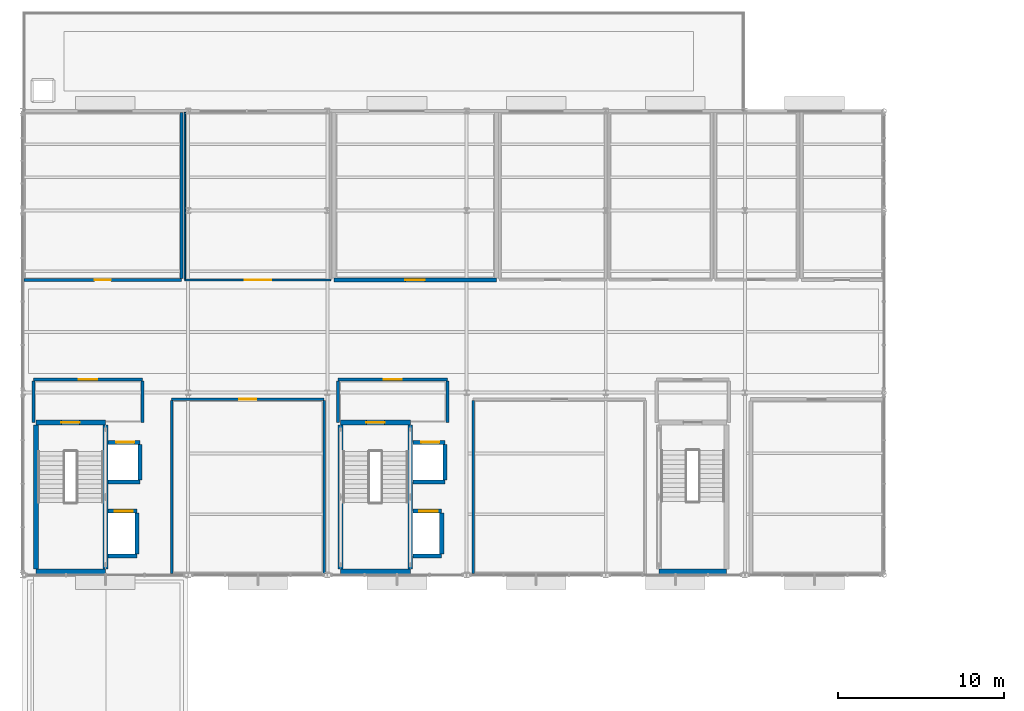
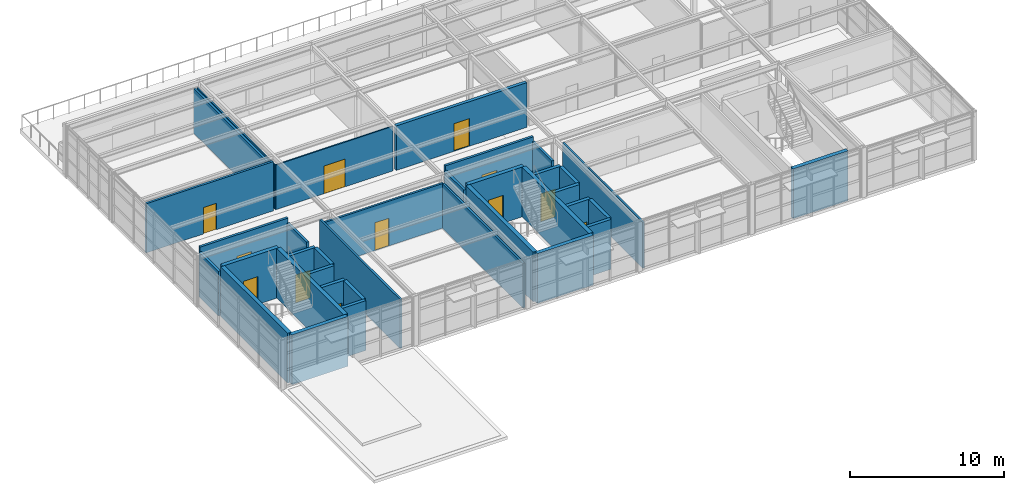
# One storey, part 17 of 21: 36 walls, 12 doors, 12 openings.
"""IFC4 building model written with IfcOpenShell, lengths in metres."""

from ifc_helpers import new_model, si_unit, direction, frame, frame_2d, origin, place, context, subcontext, project, spatial, rectangle, extrude, material, layer, layer_set, type_object, element, fill, save


model = new_model("IFC4")

# Units and contexts
model_context = context("Model", 3, precision=1e-05, world=origin(), true_north=direction((0.0, 1.0)))
body_context = subcontext(model_context, "Body", "Model", "MODEL_VIEW")
ifc_project = project(units=[si_unit("LENGTHUNIT", "METRE"), si_unit("AREAUNIT", "SQUARE_METRE"), si_unit("VOLUMEUNIT", "CUBIC_METRE"), si_unit("PLANEANGLEUNIT", "RADIAN"), si_unit("MASSUNIT", "GRAM", prefix="KILO")], contexts=[model_context])

# Site, building, storey
site_placement = place(None, origin())
site = spatial("IfcSite", under=ifc_project, at=site_placement, CompositionType="ELEMENT")
building_placement = place(site_placement, origin())
building = spatial("IfcBuilding", under=site, at=building_placement, Name="Sitalva Quay Ferry Terminal", CompositionType="ELEMENT")
storey_placement = place(building_placement, frame((0.0, 0.0, 14.39990234375)))
storey = spatial("IfcBuildingStorey", under=building, at=storey_placement, Name="L04", CompositionType="ELEMENT", Elevation=14.39990234375)

# Wall
ifc_material_1 = material(Name="Concrete C40/50", Category="concrete")
ifc_layer_1 = layer(ifc_material_1, 0.300048828125)
ifc_layer_set_1 = layer_set([ifc_layer_1], Name="Concrete C40/50")
wall_type_1 = type_object("IfcWallType", Name="Wall_CoreShear_300", PredefinedType="SHEAR", material=ifc_layer_set_1)
wall_1_placement = place(storey_placement, frame((74.800048828125, 78.199951171875, 0.0), z_axis=(0.0, 0.0, 1.0), x_axis=(1.0, 0.0, 0.0)))
element("IfcWall", 1, at=wall_1_placement, inside=storey, type_object=wall_type_1, Name="Core C1 L04 south shear wall", PredefinedType="SHEAR", context=body_context, shape_type="SweptSolid", body=[
    extrude(rectangle(XDim=4.199951171875, YDim=0.300048828125, at=frame_2d((2.10009765625, 0.0))), origin(), (0.0, 0.0, 1.0), 3.9501953125),
])

# Wall, opening, door
wall_2_placement = place(storey_placement, frame((74.800048828125, 87.199951171875, 0.0), z_axis=(0.0, 0.0, 1.0), x_axis=(1.0, 0.0, 0.0)))
wall_2 = element("IfcWall", 2, at=wall_2_placement, inside=storey, type_object=wall_type_1, Name="Core C1 L04 north shear wall", PredefinedType="SHEAR", context=body_context, shape_type="SweptSolid", body=[
    extrude(rectangle(XDim=4.199951171875, YDim=0.300048828125, at=frame_2d((2.10009765625, 0.0))), origin(), (0.0, 0.0, 1.0), 3.9501953125),
])
opening_1_placement = place(wall_2_placement, frame((1.550048828125, 0.0, 0.0)))
opening_1 = element("IfcOpeningElement", 3, at=opening_1_placement, cuts=wall_2, Name="Opening D-L04-004", PredefinedType="OPENING", context=body_context, shape_type="SweptSolid", body=[
    extrude(rectangle(XDim=1.10009765625, YDim=2.199951171875, at=frame_2d((0.550048828125, 1.10009765625))), frame((0.0, 0.159912109375, 0.0), z_axis=(0.0, -1.0, 0.0), x_axis=(1.0, 0.0, 0.0)), (0.0, 0.0, 1.0), 0.320068359375),
])
ifc_material_2 = material(Name="Galvanised Steel Fire Door", Category="steel")
door_type_1 = type_object("IfcDoorType", Name="Door_CoreExit_1100x2200", OperationType="SINGLE_SWING_LEFT", PredefinedType="DOOR", material=ifc_material_2)
door_1_placement = place(opening_1_placement, origin())
door_1 = element("IfcDoor", 4, at=door_1_placement, inside=storey, type_object=door_type_1, Name="DOOR-D-L04-004 Protected stair ST-01 door D-L04-004", OperationType="SINGLE_SWING_RIGHT", OverallHeight=2.199951171875, OverallWidth=1.10009765625, PredefinedType="DOOR", context=body_context, shape_type="SweptSolid", body=[
    extrude(rectangle(XDim=1.10009765625, YDim=2.199951171875, at=frame_2d((0.550048828125, 1.10009765625))), frame((0.0, 0.02490234375, 0.0), z_axis=(0.0, -1.0, 0.0), x_axis=(1.0, 0.0, 0.0)), (0.0, 0.0, 1.0), 0.050048828125),
])
fill(opening_1, door_1)

# Walls
for number, where, z_axis, x_axis, name in (
    (5, (74.800048828125, 78.35009765625, 0.0), (0.0, 0.0, 1.0), (0.0, 1.0, 0.0), "Core C1 L04 west shear wall"),
    (6, (79.0, 78.35009765625, 0.0), (0.0, 0.0, 1.0), (0.0, 1.0, 0.0), "Core C1 L04 east shear wall"),
):
    element("IfcWall", number, at=place(storey_placement, frame(where, z_axis=z_axis, x_axis=x_axis)), inside=storey, type_object=wall_type_1, Name=name, PredefinedType="SHEAR", context=body_context, shape_type="SweptSolid", body=[
        extrude(rectangle(XDim=8.699951171875, YDim=0.300048828125, at=frame_2d((4.35009765625, 0.0))), origin(), (0.0, 0.0, 1.0), 3.9501953125),
    ])
wall_3_placement = place(storey_placement, frame((93.199951171875, 78.199951171875, 0.0), z_axis=(0.0, 0.0, 1.0), x_axis=(1.0, 0.0, 0.0)))
element("IfcWall", 7, at=wall_3_placement, inside=storey, type_object=wall_type_1, Name="Core C2 L04 south shear wall", PredefinedType="SHEAR", context=body_context, shape_type="SweptSolid", body=[
    extrude(rectangle(XDim=4.199951171875, YDim=0.300048828125, at=frame_2d((2.10009765625, 0.0))), origin(), (0.0, 0.0, 1.0), 3.9501953125),
])

# Wall, opening, door
wall_4_placement = place(storey_placement, frame((93.199951171875, 87.199951171875, 0.0), z_axis=(0.0, 0.0, 1.0), x_axis=(1.0, 0.0, 0.0)))
wall_4 = element("IfcWall", 8, at=wall_4_placement, inside=storey, type_object=wall_type_1, Name="Core C2 L04 north shear wall", PredefinedType="SHEAR", context=body_context, shape_type="SweptSolid", body=[
    extrude(rectangle(XDim=4.199951171875, YDim=0.300048828125, at=frame_2d((2.10009765625, 0.0))), origin(), (0.0, 0.0, 1.0), 3.9501953125),
])
opening_2_placement = place(wall_4_placement, frame((1.550048828125, 0.0, 0.0)))
opening_2 = element("IfcOpeningElement", 9, at=opening_2_placement, cuts=wall_4, Name="Opening D-L04-009", PredefinedType="OPENING", context=body_context, shape_type="SweptSolid", body=[
    extrude(rectangle(XDim=1.10009765625, YDim=2.199951171875, at=frame_2d((0.550048828125, 1.10009765625))), frame((0.0, 0.159912109375, 0.0), z_axis=(0.0, -1.0, 0.0), x_axis=(1.0, 0.0, 0.0)), (0.0, 0.0, 1.0), 0.320068359375),
])
door_2_placement = place(opening_2_placement, origin())
door_2 = element("IfcDoor", 10, at=door_2_placement, inside=storey, type_object=door_type_1, Name="DOOR-D-L04-009 Protected stair ST-02 door D-L04-009", OperationType="SINGLE_SWING_LEFT", OverallHeight=2.199951171875, OverallWidth=1.10009765625, PredefinedType="DOOR", context=body_context, shape_type="SweptSolid", body=[
    extrude(rectangle(XDim=1.10009765625, YDim=2.199951171875, at=frame_2d((0.550048828125, 1.10009765625))), frame((0.0, 0.02490234375, 0.0), z_axis=(0.0, -1.0, 0.0), x_axis=(1.0, 0.0, 0.0)), (0.0, 0.0, 1.0), 0.050048828125),
])
fill(opening_2, door_2)

# Walls
for number, where, z_axis, x_axis, name in (
    (11, (93.199951171875, 78.35009765625, 0.0), (0.0, 0.0, 1.0), (0.0, 1.0, 0.0), "Core C2 L04 west shear wall"),
    (12, (97.39990234375, 78.35009765625, 0.0), (0.0, 0.0, 1.0), (0.0, 1.0, 0.0), "Core C2 L04 east shear wall"),
):
    element("IfcWall", number, at=place(storey_placement, frame(where, z_axis=z_axis, x_axis=x_axis)), inside=storey, type_object=wall_type_1, Name=name, PredefinedType="SHEAR", context=body_context, shape_type="SweptSolid", body=[
        extrude(rectangle(XDim=8.699951171875, YDim=0.300048828125, at=frame_2d((4.35009765625, 0.0))), origin(), (0.0, 0.0, 1.0), 3.9501953125),
    ])
wall_5_placement = place(storey_placement, frame((112.39990234375, 78.199951171875, 0.0), z_axis=(0.0, 0.0, 1.0), x_axis=(1.0, 0.0, 0.0)))
element("IfcWall", 13, at=wall_5_placement, inside=storey, type_object=wall_type_1, Name="Core C4 L04 south shear wall", PredefinedType="SHEAR", context=body_context, shape_type="SweptSolid", body=[
    extrude(rectangle(XDim=4.10009765625, YDim=0.300048828125, at=frame_2d((2.050048828125, 0.0))), origin(), (0.0, 0.0, 1.0), 3.9501953125),
])

# Wall, opening, door
ifc_material_3 = material(Name="Fire-Rated Blockwork C25/30", Category="masonry")
ifc_layer_2 = layer(ifc_material_3, 0.179931640625)
ifc_layer_set_2 = layer_set([ifc_layer_2], Name="Fire-Rated Blockwork C25/30")
wall_type_2 = type_object("IfcWallType", Name="Wall_FireLobby_180", PredefinedType="SOLIDWALL", material=ifc_layer_set_2)
wall_6_placement = place(storey_placement, frame((74.64990234375, 89.800048828125, 0.0), z_axis=(0.0, 0.0, 1.0), x_axis=(1.0, 0.0, 0.0)))
wall_6 = element("IfcWall", 14, at=wall_6_placement, inside=storey, type_object=wall_type_2, Name="Firefighting & Lift Lobby C1 N wall IW-L04-0010", PredefinedType="SOLIDWALL", context=body_context, shape_type="SweptSolid", body=[
    extrude(rectangle(XDim=6.60009765625, YDim=0.179931640625, at=frame_2d((3.300048828125, 0.0))), origin(), (0.0, 0.0, 1.0), 3.900146484375),
])
opening_3_placement = place(wall_6_placement, frame((2.75, 0.0, 0.0)))
opening_3 = element("IfcOpeningElement", 15, at=opening_3_placement, cuts=wall_6, Name="Opening ID-L04-004", PredefinedType="OPENING", context=body_context, shape_type="SweptSolid", body=[
    extrude(rectangle(XDim=1.10009765625, YDim=2.199951171875, at=frame_2d((0.550048828125, 1.10009765625))), frame((0.0, 0.099853515625, 0.0), z_axis=(0.0, -1.0, 0.0), x_axis=(1.0, 0.0, 0.0)), (0.0, 0.0, 1.0), 0.199951171875),
])
ifc_material_4 = material(Name="Steel Fire Door", Category="steel")
door_type_2 = type_object("IfcDoorType", Name="Door_FireLobby_1100x2200", OperationType="SINGLE_SWING_LEFT", PredefinedType="DOOR", material=ifc_material_4)
door_3_placement = place(opening_3_placement, origin())
door_3 = element("IfcDoor", 16, at=door_3_placement, inside=storey, type_object=door_type_2, Name="IDOOR-ID-L04-004 Firefighting & Lift Lobby C1 entrance ID-L04-004", OperationType="SINGLE_SWING_RIGHT", OverallHeight=2.199951171875, OverallWidth=1.10009765625, PredefinedType="DOOR", context=body_context, shape_type="SweptSolid", body=[
    extrude(rectangle(XDim=1.10009765625, YDim=2.199951171875, at=frame_2d((0.550048828125, 1.10009765625))), frame((0.0, 0.02490234375, 0.0), z_axis=(0.0, -1.0, 0.0), x_axis=(1.0, 0.0, 0.0)), (0.0, 0.0, 1.0), 0.050048828125),
])
fill(opening_3, door_3)

# Walls
for number, where, z_axis, x_axis, name in (
    (17, (74.64990234375, 87.199951171875, 0.0), (0.0, 0.0, 1.0), (0.0, 1.0, 0.0), "Firefighting & Lift Lobby C1 W wall IW-L04-0011"),
    (18, (81.25, 87.199951171875, 0.0), (0.0, 0.0, 1.0), (0.0, 1.0, 0.0), "Firefighting & Lift Lobby C1 E wall IW-L04-0012"),
):
    element("IfcWall", number, at=place(storey_placement, frame(where, z_axis=z_axis, x_axis=x_axis)), inside=storey, type_object=wall_type_2, Name=name, PredefinedType="SOLIDWALL", context=body_context, shape_type="SweptSolid", body=[
        extrude(rectangle(XDim=2.510009765625, YDim=0.179931640625, at=frame_2d((1.2548828125, 0.0))), origin(), (0.0, 0.0, 1.0), 3.533203125),
    ])

# Wall, opening, door
wall_7_placement = place(storey_placement, frame((93.050048828125, 89.800048828125, 0.0), z_axis=(0.0, 0.0, 1.0), x_axis=(1.0, 0.0, 0.0)))
wall_7 = element("IfcWall", 19, at=wall_7_placement, inside=storey, type_object=wall_type_2, Name="Firefighting & Lift Lobby C2 N wall IW-L04-0025", PredefinedType="SOLIDWALL", context=body_context, shape_type="SweptSolid", body=[
    extrude(rectangle(XDim=6.599853515625, YDim=0.179931640625, at=frame_2d((3.2998046875, 0.0))), origin(), (0.0, 0.0, 1.0), 3.900146484375),
])
opening_4_placement = place(wall_7_placement, frame((2.75, 0.0, 0.0)))
opening_4 = element("IfcOpeningElement", 20, at=opening_4_placement, cuts=wall_7, Name="Opening ID-L04-009", PredefinedType="OPENING", context=body_context, shape_type="SweptSolid", body=[
    extrude(rectangle(XDim=1.10009765625, YDim=2.199951171875, at=frame_2d((0.550048828125, 1.10009765625))), frame((0.0, 0.099853515625, 0.0), z_axis=(0.0, -1.0, 0.0), x_axis=(1.0, 0.0, 0.0)), (0.0, 0.0, 1.0), 0.199951171875),
])
door_4_placement = place(opening_4_placement, origin())
door_4 = element("IfcDoor", 21, at=door_4_placement, inside=storey, type_object=door_type_2, Name="IDOOR-ID-L04-009 Firefighting & Lift Lobby C2 entrance ID-L04-009", OperationType="SINGLE_SWING_LEFT", OverallHeight=2.199951171875, OverallWidth=1.10009765625, PredefinedType="DOOR", context=body_context, shape_type="SweptSolid", body=[
    extrude(rectangle(XDim=1.10009765625, YDim=2.199951171875, at=frame_2d((0.550048828125, 1.10009765625))), frame((0.0, 0.02490234375, 0.0), z_axis=(0.0, -1.0, 0.0), x_axis=(1.0, 0.0, 0.0)), (0.0, 0.0, 1.0), 0.050048828125),
])
fill(opening_4, door_4)

# Walls
for number, where, z_axis, x_axis, name in (
    (22, (93.050048828125, 87.199951171875, 0.0), (0.0, 0.0, 1.0), (0.0, 1.0, 0.0), "Firefighting & Lift Lobby C2 W wall IW-L04-0026"),
    (23, (99.64990234375, 87.199951171875, 0.0), (0.0, 0.0, 1.0), (0.0, 1.0, 0.0), "Firefighting & Lift Lobby C2 E wall IW-L04-0027"),
):
    element("IfcWall", number, at=place(storey_placement, frame(where, z_axis=z_axis, x_axis=x_axis)), inside=storey, type_object=wall_type_2, Name=name, PredefinedType="SOLIDWALL", context=body_context, shape_type="SweptSolid", body=[
        extrude(rectangle(XDim=2.510009765625, YDim=0.179931640625, at=frame_2d((1.2548828125, 0.0))), origin(), (0.0, 0.0, 1.0), 3.533203125),
    ])

# Wall, opening, door
ifc_material_5 = material(Name="Framed Acoustic Glass Partition", Category="glass")
ifc_layer_3 = layer(ifc_material_5, 0.10009765625)
ifc_layer_set_3 = layer_set([ifc_layer_3], Name="Framed Acoustic Glass Partition")
wall_type_3 = type_object("IfcWallType", Name="Wall_GlazedScreen_100", PredefinedType="MOVABLE", material=ifc_layer_set_3)
wall_8_placement = place(storey_placement, frame((83.800048828125, 95.800048828125, 0.0), z_axis=(0.0, 0.0, 1.0), x_axis=(1.0, 0.0, 0.0)))
wall_8 = element("IfcWall", 24, at=wall_8_placement, inside=storey, type_object=wall_type_3, Name="River Pilots Briefing & Garden Lounge S wall IW-L04-0309", PredefinedType="MOVABLE", context=body_context, shape_type="SweptSolid", body=[
    extrude(rectangle(XDim=8.800048828125, YDim=0.10009765625, at=frame_2d((4.39990234375, 0.0))), origin(), (0.0, 0.0, 1.0), 3.5400390625),
])
opening_5_placement = place(wall_8_placement, frame((3.60009765625, 0.0, 0.0)))
opening_5 = element("IfcOpeningElement", 25, at=opening_5_placement, cuts=wall_8, Name="Opening ID-L04-108", PredefinedType="OPENING", context=body_context, shape_type="SweptSolid", body=[
    extrude(rectangle(XDim=1.60009765625, YDim=2.199951171875, at=frame_2d((0.800048828125, 1.10009765625))), frame((0.0, 0.06005859375, 0.0), z_axis=(0.0, -1.0, 0.0), x_axis=(1.0, 0.0, 0.0)), (0.0, 0.0, 1.0), 0.1201171875),
])
ifc_material_6 = material(Name="Glazed Timber Acoustic Door", Category="wood")
door_type_3 = type_object("IfcDoorType", Name="Door_Meeting_1600x2200", OperationType="DOUBLE_DOOR_SINGLE_SWING", PredefinedType="DOOR", material=ifc_material_6)
door_5_placement = place(opening_5_placement, origin())
door_5 = element("IfcDoor", 26, at=door_5_placement, inside=storey, type_object=door_type_3, Name="IDOOR-ID-L04-108 River Pilots Briefing & Garden Lounge entrance ID-L04-108", OperationType="DOUBLE_DOOR_SINGLE_SWING", OverallHeight=2.199951171875, OverallWidth=1.60009765625, PredefinedType="DOOR", context=body_context, shape_type="SweptSolid", body=[
    extrude(rectangle(XDim=1.60009765625, YDim=2.199951171875, at=frame_2d((0.800048828125, 1.10009765625))), frame((0.0, 0.02490234375, 0.0), z_axis=(0.0, -1.0, 0.0), x_axis=(1.0, 0.0, 0.0)), (0.0, 0.0, 1.0), 0.050048828125),
])
fill(opening_5, door_5)

# Walls
wall_9_placement = place(storey_placement, frame((83.800048828125, 95.85009765625, 0.0), z_axis=(0.0, 0.0, 1.0), x_axis=(0.0, 1.0, 0.0)))
element("IfcWall", 27, at=wall_9_placement, inside=storey, type_object=wall_type_3, Name="River Pilots Briefing & Garden Lounge W wall IW-L04-0310", PredefinedType="MOVABLE", context=body_context, shape_type="SweptSolid", body=[
    extrude(rectangle(XDim=10.06982421875, YDim=0.10009765625, at=frame_2d((5.034912109375, 0.0))), origin(), (0.0, 0.0, 1.0), 3.533203125),
])
ifc_material_7 = material(Name="Concrete C35/45", Category="concrete")
ifc_layer_4 = layer(ifc_material_7, 0.25)
ifc_layer_set_4 = layer_set([ifc_layer_4], Name="Concrete C35/45")
wall_type_4 = type_object("IfcWallType", Name="Wall_LiftShaft_250", PredefinedType="SOLIDWALL", material=ifc_layer_set_4)
wall_10_placement = place(storey_placement, frame((79.155029296875, 79.14990234375, 0.0), z_axis=(0.0, 0.0, 1.0), x_axis=(1.0, 0.0, 0.0)))
element("IfcWall", 28, at=wall_10_placement, inside=storey, type_object=wall_type_4, Name="Lift LF-01 L04 south shaft wall", PredefinedType="SOLIDWALL", context=body_context, shape_type="SweptSolid", body=[
    extrude(rectangle(XDim=1.744873046875, YDim=0.25, at=frame_2d((0.87255859375, 0.0))), origin(), (0.0, 0.0, 1.0), 3.9501953125),
])

# Wall, opening, door
wall_11_placement = place(storey_placement, frame((79.155029296875, 81.85009765625, 0.0), z_axis=(0.0, 0.0, 1.0), x_axis=(1.0, 0.0, 0.0)))
wall_11 = element("IfcWall", 29, at=wall_11_placement, inside=storey, type_object=wall_type_4, Name="Lift LF-01 L04 north shaft wall", PredefinedType="SOLIDWALL", context=body_context, shape_type="SweptSolid", body=[
    extrude(rectangle(XDim=1.744873046875, YDim=0.25, at=frame_2d((0.87255859375, 0.0))), origin(), (0.0, 0.0, 1.0), 3.9501953125),
])
opening_6_placement = place(wall_11_placement, frame((0.39990234375, 0.0, 0.0)))
opening_6 = element("IfcOpeningElement", 30, at=opening_6_placement, cuts=wall_11, Name="Opening LD-LF-01-L04", PredefinedType="OPENING", context=body_context, shape_type="SweptSolid", body=[
    extrude(rectangle(XDim=1.10009765625, YDim=2.199951171875, at=frame_2d((0.550048828125, 1.10009765625))), frame((0.0, 0.135009765625, 0.0), z_axis=(0.0, -1.0, 0.0), x_axis=(1.0, 0.0, 0.0)), (0.0, 0.0, 1.0), 0.27001953125),
])
ifc_material_8 = material(Name="Stainless Steel 316L Fire Landing Door", Category="steel")
door_type_4 = type_object("IfcDoorType", Name="Door_LiftLanding_1100x2200", OperationType="SLIDING_TO_LEFT", PredefinedType="DOOR", material=ifc_material_8)
door_6_placement = place(opening_6_placement, origin())
door_6 = element("IfcDoor", 31, at=door_6_placement, inside=storey, type_object=door_type_4, Name="DOOR-LD-LF-01-L04 Lift LF-01 sliding landing door LD-LF-01-L04", OperationType="SLIDING_TO_LEFT", OverallHeight=2.199951171875, OverallWidth=1.10009765625, PredefinedType="DOOR", context=body_context, shape_type="SweptSolid", body=[
    extrude(rectangle(XDim=1.10009765625, YDim=2.199951171875, at=frame_2d((0.550048828125, 1.10009765625))), frame((0.0, 0.02490234375, 0.0), z_axis=(0.0, -1.0, 0.0), x_axis=(1.0, 0.0, 0.0)), (0.0, 0.0, 1.0), 0.050048828125),
])
fill(opening_6, door_6)

# Walls
wall_12_placement = place(storey_placement, frame((80.89990234375, 79.27490234375, 0.0), z_axis=(0.0, 0.0, 1.0), x_axis=(0.0, 1.0, 0.0)))
element("IfcWall", 32, at=wall_12_placement, inside=storey, type_object=wall_type_4, Name="Lift LF-01 L04 east shaft wall", PredefinedType="SOLIDWALL", context=body_context, shape_type="SweptSolid", body=[
    extrude(rectangle(XDim=2.4501953125, YDim=0.25, at=frame_2d((1.22509765625, 0.0))), origin(), (0.0, 0.0, 1.0), 3.9501953125),
])
wall_13_placement = place(storey_placement, frame((79.155029296875, 83.60009765625, 0.0), z_axis=(0.0, 0.0, 1.0), x_axis=(1.0, 0.0, 0.0)))
element("IfcWall", 33, at=wall_13_placement, inside=storey, type_object=wall_type_4, Name="Lift LF-03 L04 south shaft wall", PredefinedType="SOLIDWALL", context=body_context, shape_type="SweptSolid", body=[
    extrude(rectangle(XDim=1.945068359375, YDim=0.25, at=frame_2d((0.97265625, 0.0))), origin(), (0.0, 0.0, 1.0), 3.9501953125),
])

# Wall, opening, door
wall_14_placement = place(storey_placement, frame((79.155029296875, 86.0, 0.0), z_axis=(0.0, 0.0, 1.0), x_axis=(1.0, 0.0, 0.0)))
wall_14 = element("IfcWall", 34, at=wall_14_placement, inside=storey, type_object=wall_type_4, Name="Lift LF-03 L04 north shaft wall", PredefinedType="SOLIDWALL", context=body_context, shape_type="SweptSolid", body=[
    extrude(rectangle(XDim=1.945068359375, YDim=0.25, at=frame_2d((0.97265625, 0.0))), origin(), (0.0, 0.0, 1.0), 3.9501953125),
])
opening_7_placement = place(wall_14_placement, frame((0.5, 0.0, 0.0)))
opening_7 = element("IfcOpeningElement", 35, at=opening_7_placement, cuts=wall_14, Name="Opening LD-LF-03-L04", PredefinedType="OPENING", context=body_context, shape_type="SweptSolid", body=[
    extrude(rectangle(XDim=1.10009765625, YDim=2.199951171875, at=frame_2d((0.550048828125, 1.10009765625))), frame((0.0, 0.135009765625, 0.0), z_axis=(0.0, -1.0, 0.0), x_axis=(1.0, 0.0, 0.0)), (0.0, 0.0, 1.0), 0.27001953125),
])
door_7_placement = place(opening_7_placement, origin())
door_7 = element("IfcDoor", 36, at=door_7_placement, inside=storey, type_object=door_type_4, Name="DOOR-LD-LF-03-L04 Lift LF-03 sliding landing door LD-LF-03-L04", OperationType="SLIDING_TO_LEFT", OverallHeight=2.199951171875, OverallWidth=1.10009765625, PredefinedType="DOOR", context=body_context, shape_type="SweptSolid", body=[
    extrude(rectangle(XDim=1.10009765625, YDim=2.199951171875, at=frame_2d((0.550048828125, 1.10009765625))), frame((0.0, 0.02490234375, 0.0), z_axis=(0.0, -1.0, 0.0), x_axis=(1.0, 0.0, 0.0)), (0.0, 0.0, 1.0), 0.050048828125),
])
fill(opening_7, door_7)

# Walls
wall_15_placement = place(storey_placement, frame((81.10009765625, 83.72509765625, 0.0), z_axis=(0.0, 0.0, 1.0), x_axis=(0.0, 1.0, 0.0)))
element("IfcWall", 37, at=wall_15_placement, inside=storey, type_object=wall_type_4, Name="Lift LF-03 L04 east shaft wall", PredefinedType="SOLIDWALL", context=body_context, shape_type="SweptSolid", body=[
    extrude(rectangle(XDim=2.14990234375, YDim=0.25, at=frame_2d((1.074951171875, 0.0))), origin(), (0.0, 0.0, 1.0), 3.9501953125),
])
wall_16_placement = place(storey_placement, frame((97.554931640625, 79.14990234375, 0.0), z_axis=(0.0, 0.0, 1.0), x_axis=(1.0, 0.0, 0.0)))
element("IfcWall", 38, at=wall_16_placement, inside=storey, type_object=wall_type_4, Name="Lift LF-02 L04 south shaft wall", PredefinedType="SOLIDWALL", context=body_context, shape_type="SweptSolid", body=[
    extrude(rectangle(XDim=1.7451171875, YDim=0.25, at=frame_2d((0.87255859375, 0.0))), origin(), (0.0, 0.0, 1.0), 3.9501953125),
])

# Wall, opening, door
wall_17_placement = place(storey_placement, frame((97.554931640625, 81.85009765625, 0.0), z_axis=(0.0, 0.0, 1.0), x_axis=(1.0, 0.0, 0.0)))
wall_17 = element("IfcWall", 39, at=wall_17_placement, inside=storey, type_object=wall_type_4, Name="Lift LF-02 L04 north shaft wall", PredefinedType="SOLIDWALL", context=body_context, shape_type="SweptSolid", body=[
    extrude(rectangle(XDim=1.7451171875, YDim=0.25, at=frame_2d((0.87255859375, 0.0))), origin(), (0.0, 0.0, 1.0), 3.9501953125),
])
opening_8_placement = place(wall_17_placement, frame((0.39990234375, 0.0, 0.0)))
opening_8 = element("IfcOpeningElement", 40, at=opening_8_placement, cuts=wall_17, Name="Opening LD-LF-02-L04", PredefinedType="OPENING", context=body_context, shape_type="SweptSolid", body=[
    extrude(rectangle(XDim=1.10009765625, YDim=2.199951171875, at=frame_2d((0.550048828125, 1.10009765625))), frame((0.0, 0.135009765625, 0.0), z_axis=(0.0, -1.0, 0.0), x_axis=(1.0, 0.0, 0.0)), (0.0, 0.0, 1.0), 0.27001953125),
])
door_8_placement = place(opening_8_placement, origin())
door_8 = element("IfcDoor", 41, at=door_8_placement, inside=storey, type_object=door_type_4, Name="DOOR-LD-LF-02-L04 Lift LF-02 sliding landing door LD-LF-02-L04", OperationType="SLIDING_TO_LEFT", OverallHeight=2.199951171875, OverallWidth=1.10009765625, PredefinedType="DOOR", context=body_context, shape_type="SweptSolid", body=[
    extrude(rectangle(XDim=1.10009765625, YDim=2.199951171875, at=frame_2d((0.550048828125, 1.10009765625))), frame((0.0, 0.02490234375, 0.0), z_axis=(0.0, -1.0, 0.0), x_axis=(1.0, 0.0, 0.0)), (0.0, 0.0, 1.0), 0.050048828125),
])
fill(opening_8, door_8)

# Walls
wall_18_placement = place(storey_placement, frame((99.300048828125, 79.27490234375, 0.0), z_axis=(0.0, 0.0, 1.0), x_axis=(0.0, 1.0, 0.0)))
element("IfcWall", 42, at=wall_18_placement, inside=storey, type_object=wall_type_4, Name="Lift LF-02 L04 east shaft wall", PredefinedType="SOLIDWALL", context=body_context, shape_type="SweptSolid", body=[
    extrude(rectangle(XDim=2.4501953125, YDim=0.25, at=frame_2d((1.22509765625, 0.0))), origin(), (0.0, 0.0, 1.0), 3.9501953125),
])
wall_19_placement = place(storey_placement, frame((97.554931640625, 83.60009765625, 0.0), z_axis=(0.0, 0.0, 1.0), x_axis=(1.0, 0.0, 0.0)))
element("IfcWall", 43, at=wall_19_placement, inside=storey, type_object=wall_type_4, Name="Lift LF-04 L04 south shaft wall", PredefinedType="SOLIDWALL", context=body_context, shape_type="SweptSolid", body=[
    extrude(rectangle(XDim=1.945068359375, YDim=0.25, at=frame_2d((0.97265625, 0.0))), origin(), (0.0, 0.0, 1.0), 3.9501953125),
])

# Wall, opening, door
wall_20_placement = place(storey_placement, frame((97.554931640625, 86.0, 0.0), z_axis=(0.0, 0.0, 1.0), x_axis=(1.0, 0.0, 0.0)))
wall_20 = element("IfcWall", 44, at=wall_20_placement, inside=storey, type_object=wall_type_4, Name="Lift LF-04 L04 north shaft wall", PredefinedType="SOLIDWALL", context=body_context, shape_type="SweptSolid", body=[
    extrude(rectangle(XDim=1.945068359375, YDim=0.25, at=frame_2d((0.97265625, 0.0))), origin(), (0.0, 0.0, 1.0), 3.9501953125),
])
opening_9_placement = place(wall_20_placement, frame((0.5, 0.0, 0.0)))
opening_9 = element("IfcOpeningElement", 45, at=opening_9_placement, cuts=wall_20, Name="Opening LD-LF-04-L04", PredefinedType="OPENING", context=body_context, shape_type="SweptSolid", body=[
    extrude(rectangle(XDim=1.10009765625, YDim=2.199951171875, at=frame_2d((0.550048828125, 1.10009765625))), frame((0.0, 0.135009765625, 0.0), z_axis=(0.0, -1.0, 0.0), x_axis=(1.0, 0.0, 0.0)), (0.0, 0.0, 1.0), 0.27001953125),
])
door_9_placement = place(opening_9_placement, origin())
door_9 = element("IfcDoor", 46, at=door_9_placement, inside=storey, type_object=door_type_4, Name="DOOR-LD-LF-04-L04 Lift LF-04 sliding landing door LD-LF-04-L04", OperationType="SLIDING_TO_LEFT", OverallHeight=2.199951171875, OverallWidth=1.10009765625, PredefinedType="DOOR", context=body_context, shape_type="SweptSolid", body=[
    extrude(rectangle(XDim=1.10009765625, YDim=2.199951171875, at=frame_2d((0.550048828125, 1.10009765625))), frame((0.0, 0.02490234375, 0.0), z_axis=(0.0, -1.0, 0.0), x_axis=(1.0, 0.0, 0.0)), (0.0, 0.0, 1.0), 0.050048828125),
])
fill(opening_9, door_9)

# Walls
wall_21_placement = place(storey_placement, frame((99.5, 83.72509765625, 0.0), z_axis=(0.0, 0.0, 1.0), x_axis=(0.0, 1.0, 0.0)))
element("IfcWall", 47, at=wall_21_placement, inside=storey, type_object=wall_type_4, Name="Lift LF-04 L04 east shaft wall", PredefinedType="SOLIDWALL", context=body_context, shape_type="SweptSolid", body=[
    extrude(rectangle(XDim=2.14990234375, YDim=0.25, at=frame_2d((1.074951171875, 0.0))), origin(), (0.0, 0.0, 1.0), 3.9501953125),
])
ifc_material_9 = material(Name="Acoustic Double-Board Gypsum Partition", Category="gypsum")
ifc_layer_5 = layer(ifc_material_9, 0.135009765625)
ifc_layer_set_5 = layer_set([ifc_layer_5], Name="Acoustic Double-Board Gypsum Partition")
wall_type_5 = type_object("IfcWallType", Name="Wall_Partition_135", PredefinedType="PARTITIONING", material=ifc_layer_set_5)
wall_22_placement = place(storey_placement, frame((101.199951171875, 78.080078125, 0.0), z_axis=(0.0, 0.0, 1.0), x_axis=(0.0, 1.0, 0.0)))
element("IfcWall", 48, at=wall_22_placement, inside=storey, type_object=wall_type_5, Name="Monsoon Meteorology & Flood Forecasting Lab W wall IW-L04-0305", PredefinedType="PARTITIONING", context=body_context, shape_type="SweptSolid", body=[
    extrude(rectangle(XDim=10.452392578125, YDim=0.135009765625, at=frame_2d((5.22607421875, 0.0))), origin(), (0.0, 0.0, 1.0), 3.63720703125),
])

# Wall, opening, door
ifc_material_10 = material(Name="Acoustic Twin-Stud Gypsum Partition", Category="gypsum")
ifc_layer_6 = layer(ifc_material_10, 0.14990234375)
ifc_layer_set_6 = layer_set([ifc_layer_6], Name="Acoustic Twin-Stud Gypsum Partition")
wall_type_6 = type_object("IfcWallType", Name="Wall_Partition_150", PredefinedType="PARTITIONING", material=ifc_layer_set_6)
wall_23_placement = place(storey_placement, frame((83.0, 88.60009765625, 0.0), z_axis=(0.0, 0.0, 1.0), x_axis=(1.0, 0.0, 0.0)))
wall_23 = element("IfcWall", 49, at=wall_23_placement, inside=storey, type_object=wall_type_6, Name="Buriganga River Pilotage Dispatch Centre N wall IW-L04-0301", PredefinedType="PARTITIONING", context=body_context, shape_type="SweptSolid", body=[
    extrude(rectangle(XDim=9.199951171875, YDim=0.14990234375, at=frame_2d((4.60009765625, 0.0))), origin(), (0.0, 0.0, 1.0), 3.5400390625),
])
opening_10_placement = place(wall_23_placement, frame((4.090087890625, 0.0, 0.0)))
opening_10 = element("IfcOpeningElement", 50, at=opening_10_placement, cuts=wall_23, Name="Opening ID-L04-105", PredefinedType="OPENING", context=body_context, shape_type="SweptSolid", body=[
    extrude(rectangle(XDim=1.02001953125, YDim=2.199951171875, at=frame_2d((0.510009765625, 1.10009765625))), frame((0.0, 0.0849609375, 0.0), z_axis=(0.0, -1.0, 0.0), x_axis=(1.0, 0.0, 0.0)), (0.0, 0.0, 1.0), 0.169921875),
])
ifc_material_11 = material(Name="Acoustic Marine Timber Door", Category="wood")
door_type_5 = type_object("IfcDoorType", Name="Door_Pilot_1020x2200", OperationType="SINGLE_SWING_LEFT", PredefinedType="DOOR", material=ifc_material_11)
door_10_placement = place(opening_10_placement, origin())
door_10 = element("IfcDoor", 51, at=door_10_placement, inside=storey, type_object=door_type_5, Name="IDOOR-ID-L04-105 Buriganga River Pilotage Dispatch Centre entrance ID-L04-105", OperationType="SINGLE_SWING_LEFT", OverallHeight=2.199951171875, OverallWidth=1.02001953125, PredefinedType="DOOR", context=body_context, shape_type="SweptSolid", body=[
    extrude(rectangle(XDim=1.02001953125, YDim=2.199951171875, at=frame_2d((0.510009765625, 1.10009765625))), frame((0.0, 0.02490234375, 0.0), z_axis=(0.0, -1.0, 0.0), x_axis=(1.0, 0.0, 0.0)), (0.0, 0.0, 1.0), 0.050048828125),
])
fill(opening_10, door_10)

# Walls
wall_24_placement = place(storey_placement, frame((83.0, 78.080078125, 0.0), z_axis=(0.0, 0.0, 1.0), x_axis=(0.0, 1.0, 0.0)))
element("IfcWall", 52, at=wall_24_placement, inside=storey, type_object=wall_type_6, Name="Buriganga River Pilotage Dispatch Centre W wall IW-L04-0302", PredefinedType="PARTITIONING", context=body_context, shape_type="SweptSolid", body=[
    extrude(rectangle(XDim=10.44482421875, YDim=0.14990234375, at=frame_2d((5.222412109375, 0.0))), origin(), (0.0, 0.0, 1.0), 3.900146484375),
])
wall_25_placement = place(storey_placement, frame((92.199951171875, 78.080078125, 0.0), z_axis=(0.0, 0.0, 1.0), x_axis=(0.0, 1.0, 0.0)))
element("IfcWall", 53, at=wall_25_placement, inside=storey, type_object=wall_type_6, Name="Buriganga River Pilotage Dispatch Centre E wall IW-L04-0303", PredefinedType="PARTITIONING", context=body_context, shape_type="SweptSolid", body=[
    extrude(rectangle(XDim=10.44482421875, YDim=0.14990234375, at=frame_2d((5.222412109375, 0.0))), origin(), (0.0, 0.0, 1.0), 3.5400390625),
])

# Wall, opening, door
ifc_material_12 = material(Name="High-Acoustic Twin-Stud Partition", Category="gypsum")
ifc_layer_7 = layer(ifc_material_12, 0.1650390625)
ifc_layer_set_7 = layer_set([ifc_layer_7], Name="High-Acoustic Twin-Stud Partition")
wall_type_7 = type_object("IfcWallType", Name="Wall_Partition_165", PredefinedType="PARTITIONING", material=ifc_layer_set_7)
wall_26_placement = place(storey_placement, frame((74.080078125, 95.800048828125, 0.0), z_axis=(0.0, 0.0, 1.0), x_axis=(1.0, 0.0, 0.0)))
wall_26 = element("IfcWall", 54, at=wall_26_placement, inside=storey, type_object=wall_type_7, Name="Duty Watch Dormitory & Quiet Cabins S wall IW-L04-0312", PredefinedType="PARTITIONING", context=body_context, shape_type="SweptSolid", body=[
    extrude(rectangle(XDim=9.52001953125, YDim=0.1650390625, at=frame_2d((4.760009765625, 0.0))), origin(), (0.0, 0.0, 1.0), 3.900146484375),
])
opening_11_placement = place(wall_26_placement, frame((4.27001953125, 0.0, 0.0)))
opening_11 = element("IfcOpeningElement", 55, at=opening_11_placement, cuts=wall_26, Name="Opening ID-L04-109", PredefinedType="OPENING", context=body_context, shape_type="SweptSolid", body=[
    extrude(rectangle(XDim=0.97998046875, YDim=2.10009765625, at=frame_2d((0.489990234375, 1.050048828125))), frame((0.0, 0.092529296875, 0.0), z_axis=(0.0, -1.0, 0.0), x_axis=(1.0, 0.0, 0.0)), (0.0, 0.0, 1.0), 0.18505859375),
])
ifc_material_13 = material(Name="Solid-Core Acoustic Cabin Door", Category="wood")
door_type_6 = type_object("IfcDoorType", Name="Door_Dorm_980x2100", OperationType="SINGLE_SWING_LEFT", PredefinedType="DOOR", material=ifc_material_13)
door_11_placement = place(opening_11_placement, origin())
door_11 = element("IfcDoor", 56, at=door_11_placement, inside=storey, type_object=door_type_6, Name="IDOOR-ID-L04-109 Duty Watch Dormitory & Quiet Cabins entrance ID-L04-109", OperationType="SINGLE_SWING_LEFT", OverallHeight=2.10009765625, OverallWidth=0.97998046875, PredefinedType="DOOR", context=body_context, shape_type="SweptSolid", body=[
    extrude(rectangle(XDim=0.97998046875, YDim=2.10009765625, at=frame_2d((0.489990234375, 1.050048828125))), frame((0.0, 0.02490234375, 0.0), z_axis=(0.0, -1.0, 0.0), x_axis=(1.0, 0.0, 0.0)), (0.0, 0.0, 1.0), 0.050048828125),
])
fill(opening_11, door_11)

# Wall
wall_27_placement = place(storey_placement, frame((83.60009765625, 95.882568359375, 0.0), z_axis=(0.0, 0.0, 1.0), x_axis=(0.0, 1.0, 0.0)))
element("IfcWall", 57, at=wall_27_placement, inside=storey, type_object=wall_type_7, Name="Duty Watch Dormitory & Quiet Cabins E wall IW-L04-0313", PredefinedType="PARTITIONING", context=body_context, shape_type="SweptSolid", body=[
    extrude(rectangle(XDim=10.037353515625, YDim=0.1650390625, at=frame_2d((5.0185546875, 0.0))), origin(), (0.0, 0.0, 1.0), 3.533203125),
])

# Wall, opening, door
ifc_material_14 = material(Name="High-Density Concrete C35/45", Category="concrete")
ifc_layer_8 = layer(ifc_material_14, 0.239990234375)
ifc_layer_set_8 = layer_set([ifc_layer_8], Name="High-Density Concrete C35/45")
wall_type_8 = type_object("IfcWallType", Name="Wall_PlantAcoustic_240", PredefinedType="SOLIDWALL", material=ifc_layer_set_8)
wall_28_placement = place(storey_placement, frame((92.800048828125, 95.800048828125, 0.0), z_axis=(0.0, 0.0, 1.0), x_axis=(1.0, 0.0, 0.0)))
wall_28 = element("IfcWall", 58, at=wall_28_placement, inside=storey, type_object=wall_type_8, Name="VHF/AIS Marine Radar Server Room S wall IW-L04-0314", PredefinedType="SOLIDWALL", context=body_context, shape_type="SweptSolid", body=[
    extrude(rectangle(XDim=9.800048828125, YDim=0.239990234375, at=frame_2d((4.89990234375, 0.0))), origin(), (0.0, 0.0, 1.0), 3.5400390625),
])
opening_12_placement = place(wall_28_placement, frame((4.31005859375, 0.0, 0.0)))
opening_12 = element("IfcOpeningElement", 59, at=opening_12_placement, cuts=wall_28, Name="Opening ID-L04-110", PredefinedType="OPENING", context=body_context, shape_type="SweptSolid", body=[
    extrude(rectangle(XDim=1.179931640625, YDim=2.199951171875, at=frame_2d((0.58984375, 1.10009765625))), frame((0.0, 0.1298828125, 0.0), z_axis=(0.0, -1.0, 0.0), x_axis=(1.0, 0.0, 0.0)), (0.0, 0.0, 1.0), 0.260009765625),
])
ifc_material_15 = material(Name="EMI-Shielded Fire Steel Door", Category="steel")
door_type_7 = type_object("IfcDoorType", Name="Door_Server_1180x2200", OperationType="SINGLE_SWING_RIGHT", PredefinedType="DOOR", material=ifc_material_15)
door_12_placement = place(opening_12_placement, origin())
door_12 = element("IfcDoor", 60, at=door_12_placement, inside=storey, type_object=door_type_7, Name="IDOOR-ID-L04-110 VHF/AIS Marine Radar Server Room entrance ID-L04-110", OperationType="SINGLE_SWING_RIGHT", OverallHeight=2.199951171875, OverallWidth=1.179931640625, PredefinedType="DOOR", context=body_context, shape_type="SweptSolid", body=[
    extrude(rectangle(XDim=1.179931640625, YDim=2.199951171875, at=frame_2d((0.58984375, 1.10009765625))), frame((0.0, 0.02490234375, 0.0), z_axis=(0.0, -1.0, 0.0), x_axis=(1.0, 0.0, 0.0)), (0.0, 0.0, 1.0), 0.050048828125),
])
fill(opening_12, door_12)

save(model, "model.ifc")
